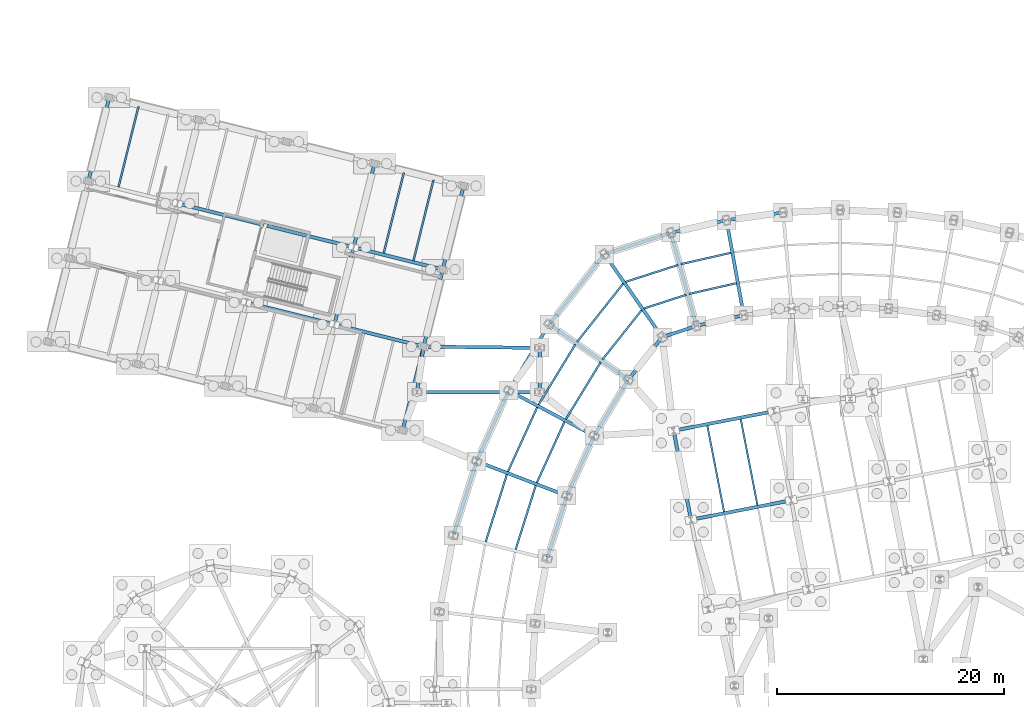
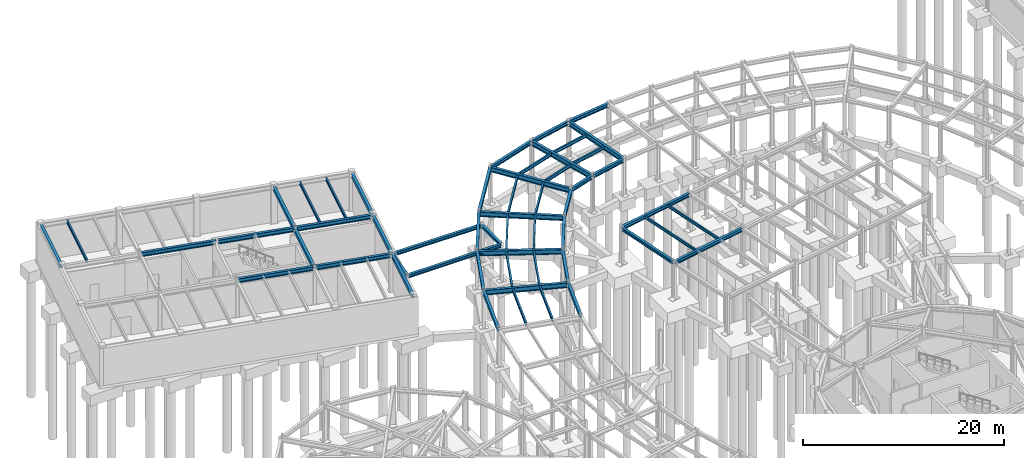
# One storey, part 33 of 50: 54 beams.
"""IFC4 building model written with IfcOpenShell, lengths in metres."""

from ifc_helpers import new_model, si_unit, direction, frame, origin, origin_2d, place, context, subcontext, project, spatial, i_section, extrude, material, material_profile, profile_set, type_object, element, save


model = new_model("IFC4")

# Units and contexts
model_context = context("Model", 3, precision=1e-05, world=origin(), true_north=direction((0.0, 1.0)))
body_context = subcontext(model_context, "Body", "Model", "MODEL_VIEW")
ifc_project = project(units=[si_unit("LENGTHUNIT", "METRE"), si_unit("AREAUNIT", "SQUARE_METRE"), si_unit("VOLUMEUNIT", "CUBIC_METRE"), si_unit("PLANEANGLEUNIT", "RADIAN"), si_unit("MASSUNIT", "GRAM", prefix="KILO")], contexts=[model_context])

# Site, building, storey
site_placement = place(None, origin())
site = spatial("IfcSite", under=ifc_project, at=site_placement, CompositionType="ELEMENT")
building_placement = place(site_placement, origin())
building = spatial("IfcBuilding", under=site, at=building_placement, Name="Varnklinge Art Gallery", CompositionType="ELEMENT")
storey_placement = place(building_placement, frame((0.0, 0.0, -4.800048828125)))
storey = spatial("IfcBuildingStorey", under=building, at=storey_placement, Name="B01", CompositionType="ELEMENT", Elevation=-4.800048828125)

# Beams
ifc_material_1 = material(Name="Steel S355", Category="steel")
ifc_material_profile_1 = material_profile(ifc_material_1, i_section(OverallWidth=0.300048828125, OverallDepth=0.590087890625, WebThickness=0.012939453125, FlangeThickness=0.02490234375, FilletRadius=0.027099609375, at=origin_2d()), Name="HEA 600")
ifc_profile_set_1 = profile_set([ifc_material_profile_1], Name="Steel S355")
beam_type_1 = type_object("IfcBeamType", Name="BM-06", PredefinedType="BEAM", material=ifc_profile_set_1)
for number, where, z_axis, x_axis, name in (
    (1, (65.504638671875, 96.21728515625, 4.255126953125), (0.178151776958, -0.984003020507, 0.0), (0.984003020507, 0.178151776958, 0.0), "B01 BM-06 BM-V2-L00-R19"),
    (2, (60.607421875, 95.102294921875, 4.255126953125), (0.26537851046, -0.96414430776, 0.0), (0.96414430776, 0.26537851046, 0.0), "B01 BM-06 BM-V2-L00-R20"),
):
    element("IfcBeam", number, at=place(storey_placement, frame(where, z_axis=z_axis, x_axis=x_axis)), inside=storey, type_object=beam_type_1, Name=name, PredefinedType="BEAM", context=body_context, shape_type="SweptSolid", body=[
        extrude(i_section(OverallWidth=0.300048828125, OverallDepth=0.590087890625, WebThickness=0.012939453125, FlangeThickness=0.02490234375, FilletRadius=0.027099609375, at=origin_2d()), origin(), (0.0, 0.0, 1.0), 8.229248046875),
    ])
beam_1_placement = place(storey_placement, frame((54.80908203125, 93.244873046875, 4.255126953125), z_axis=(0.570588727281, -0.821235961402, 0.0), x_axis=(0.821235961402, 0.570588727281, 0.0)))
element("IfcBeam", 3, at=beam_1_placement, inside=storey, type_object=beam_type_1, Name="B01 BM-06 BM-V2-L00-R21", PredefinedType="BEAM", context=body_context, shape_type="SweptSolid", body=[
    extrude(i_section(OverallWidth=0.300048828125, OverallDepth=0.590087890625, WebThickness=0.012939453125, FlangeThickness=0.02490234375, FilletRadius=0.027099609375, at=origin_2d()), origin(), (0.0, 0.0, 1.0), 8.6318359375),
])
beam_2_placement = place(storey_placement, frame((49.96484375, 87.0947265625, 4.255126953125), z_axis=(0.820324852304, -0.571897837635, 0.0), x_axis=(0.571897837635, 0.820324852304, 0.0)))
element("IfcBeam", 4, at=beam_2_placement, inside=storey, type_object=beam_type_1, Name="B01 BM-06 BM-V2-L00-R22", PredefinedType="BEAM", context=body_context, shape_type="SweptSolid", body=[
    extrude(i_section(OverallWidth=0.300048828125, OverallDepth=0.590087890625, WebThickness=0.012939453125, FlangeThickness=0.02490234375, FilletRadius=0.027099609375, at=origin_2d()), origin(), (0.0, 0.0, 1.0), 8.2373046875),
])
for number, where, z_axis, x_axis, name in (
    (5, (46.407470703125, 81.265380859375, 4.255126953125), (0.883713647739, -0.468027978651, 0.0), (0.468027978651, 0.883713647739, 0.0), "B01 BM-06 BM-V2-L00-R23"),
    (6, (43.584228515625, 75.047119140625, 4.255126953125), (0.934013153302, -0.357238616976, 0.0), (0.357238616976, 0.934013153302, 0.0), "B01 BM-06 BM-V2-L00-R24"),
):
    element("IfcBeam", number, at=place(storey_placement, frame(where, z_axis=z_axis, x_axis=x_axis)), inside=storey, type_object=beam_type_1, Name=name, PredefinedType="BEAM", context=body_context, shape_type="SweptSolid", body=[
        extrude(i_section(OverallWidth=0.300048828125, OverallDepth=0.590087890625, WebThickness=0.012939453125, FlangeThickness=0.02490234375, FilletRadius=0.027099609375, at=origin_2d()), origin(), (0.0, 0.0, 1.0), 8.237060546875),
    ])
ifc_material_2 = material(Name="Steel S355", Category="steel")
ifc_material_profile_2 = material_profile(ifc_material_2, i_section(OverallWidth=0.300048828125, OverallDepth=0.489990234375, WebThickness=0.011962890625, FlangeThickness=0.02294921875, FilletRadius=0.027099609375, at=origin_2d()), Name="HEA 500")
ifc_profile_set_2 = profile_set([ifc_material_profile_2], Name="Steel S355")
beam_type_2 = type_object("IfcBeamType", Name="BM-07", PredefinedType="BEAM", material=ifc_profile_set_2)
beam_3_placement = place(storey_placement, frame((23.2890625, 89.070068359375, 4.304931640625), z_axis=(0.970294848706, -0.241925415312, 0.0), x_axis=(0.241925415312, 0.970294848706, 0.0)))
element("IfcBeam", 7, at=beam_3_placement, inside=storey, type_object=beam_type_2, Name="B01 BM-07 BM-V5-L00-U1-2", PredefinedType="BEAM", context=body_context, shape_type="SweptSolid", body=[
    extrude(i_section(OverallWidth=0.300048828125, OverallDepth=0.489990234375, WebThickness=0.011962890625, FlangeThickness=0.02294921875, FilletRadius=0.027099609375, at=origin_2d()), origin(), (0.0, 0.0, 1.0), 7.719970703125),
])
beam_4_placement = place(storey_placement, frame((31.051513671875, 87.134765625, 4.304931640625), z_axis=(0.970294736921, -0.241925863651, 0.0), x_axis=(0.241925863651, 0.970294736921, 0.0)))
element("IfcBeam", 8, at=beam_4_placement, inside=storey, type_object=beam_type_2, Name="B01 BM-07 BM-V5-L00-U1-3", PredefinedType="BEAM", context=body_context, shape_type="SweptSolid", body=[
    extrude(i_section(OverallWidth=0.300048828125, OverallDepth=0.489990234375, WebThickness=0.011962890625, FlangeThickness=0.02294921875, FilletRadius=0.027099609375, at=origin_2d()), origin(), (0.0, 0.0, 1.0), 7.81982421875),
])
beam_5_placement = place(storey_placement, frame((17.22021484375, 97.797607421875, 4.304931640625), z_axis=(0.970294848706, -0.241925415312, 0.0), x_axis=(0.241925415312, 0.970294848706, 0.0)))
element("IfcBeam", 9, at=beam_5_placement, inside=storey, type_object=beam_type_2, Name="B01 BM-07 BM-V5-L00-U2-1", PredefinedType="BEAM", context=body_context, shape_type="SweptSolid", body=[
    extrude(i_section(OverallWidth=0.300048828125, OverallDepth=0.489990234375, WebThickness=0.011962890625, FlangeThickness=0.02294921875, FilletRadius=0.027099609375, at=origin_2d()), origin(), (0.0, 0.0, 1.0), 7.719970703125),
])
beam_6_placement = place(storey_placement, frame((24.982421875, 95.862060546875, 4.304931640625), z_axis=(0.970304122122, -0.241888219213, 0.0), x_axis=(0.241888219213, 0.970304122122, 0.0)))
element("IfcBeam", 10, at=beam_6_placement, inside=storey, type_object=beam_type_2, Name="B01 BM-07 BM-V5-L00-U2-2", PredefinedType="BEAM", context=body_context, shape_type="SweptSolid", body=[
    extrude(i_section(OverallWidth=0.300048828125, OverallDepth=0.489990234375, WebThickness=0.011962890625, FlangeThickness=0.02294921875, FilletRadius=0.027099609375, at=origin_2d()), origin(), (0.0, 0.0, 1.0), 7.72021484375),
])
beam_7_placement = place(storey_placement, frame((32.744873046875, 93.9267578125, 4.304931640625), z_axis=(0.970296564102, -0.241918535239, 0.0), x_axis=(0.241918535239, 0.970296564102, 0.0)))
element("IfcBeam", 11, at=beam_7_placement, inside=storey, type_object=beam_type_2, Name="B01 BM-07 BM-V5-L00-U2-3", PredefinedType="BEAM", context=body_context, shape_type="SweptSolid", body=[
    extrude(i_section(OverallWidth=0.300048828125, OverallDepth=0.489990234375, WebThickness=0.011962890625, FlangeThickness=0.02294921875, FilletRadius=0.027099609375, at=origin_2d()), origin(), (0.0, 0.0, 1.0), 7.820068359375),
])
ifc_material_3 = material(Name="Steel S355", Category="steel")
ifc_material_profile_3 = material_profile(ifc_material_3, i_section(OverallWidth=0.300048828125, OverallDepth=0.43994140625, WebThickness=0.011474609375, FlangeThickness=0.02099609375, FilletRadius=0.027099609375, at=origin_2d()), Name="HEA 450")
ifc_profile_set_3 = profile_set([ifc_material_profile_3], Name="Steel S355")
beam_type_3 = type_object("IfcBeamType", Name="BM-08", PredefinedType="BEAM", material=ifc_profile_set_3)
beam_8_placement = place(storey_placement, frame((70.3310546875, 97.010498046875, 4.330078125), z_axis=(-0.990995928782, -0.133892005505, 0.0), x_axis=(0.133892005505, -0.990995928782, 0.0)))
element("IfcBeam", 12, at=beam_8_placement, inside=storey, type_object=beam_type_3, Name="B01 BM-08 BM-V2-L00-O18", PredefinedType="BEAM", context=body_context, shape_type="SweptSolid", body=[
    extrude(i_section(OverallWidth=0.300048828125, OverallDepth=0.43994140625, WebThickness=0.011474609375, FlangeThickness=0.02099609375, FilletRadius=0.027099609375, at=origin_2d()), origin(), (0.0, 0.0, 1.0), 4.75537109375),
])
beam_9_placement = place(storey_placement, frame((65.34326171875, 96.323974609375, 4.330078125), z_axis=(-0.975056640979, -0.221956182347, 0.0), x_axis=(0.221956182347, -0.975056640979, 0.0)))
element("IfcBeam", 13, at=beam_9_placement, inside=storey, type_object=beam_type_3, Name="B01 BM-08 BM-V2-L00-O19", PredefinedType="BEAM", context=body_context, shape_type="SweptSolid", body=[
    extrude(i_section(OverallWidth=0.300048828125, OverallDepth=0.43994140625, WebThickness=0.011474609375, FlangeThickness=0.02099609375, FilletRadius=0.027099609375, at=origin_2d()), origin(), (0.0, 0.0, 1.0), 4.755126953125),
])
beam_10_placement = place(storey_placement, frame((66.859130859375, 87.95068359375, 4.330078125), z_axis=(-0.975053526144, -0.221969865419, 0.0), x_axis=(0.221969865419, -0.975053526144, 0.0)))
element("IfcBeam", 14, at=beam_10_placement, inside=storey, type_object=beam_type_3, Name="B01 BM-08 BM-V2-L00-I19", PredefinedType="BEAM", context=body_context, shape_type="SweptSolid", body=[
    extrude(i_section(OverallWidth=0.300048828125, OverallDepth=0.43994140625, WebThickness=0.011474609375, FlangeThickness=0.02099609375, FilletRadius=0.027099609375, at=origin_2d()), origin(), (0.0, 0.0, 1.0), 3.99365234375),
])
beam_11_placement = place(storey_placement, frame((60.43701171875, 95.194580078125, 4.330078125), z_axis=(-0.952022487869, -0.306028074843, 0.0), x_axis=(0.306028074843, -0.952022487869, 0.0)))
element("IfcBeam", 15, at=beam_11_placement, inside=storey, type_object=beam_type_3, Name="B01 BM-08 BM-V2-L00-O20", PredefinedType="BEAM", context=body_context, shape_type="SweptSolid", body=[
    extrude(i_section(OverallWidth=0.300048828125, OverallDepth=0.43994140625, WebThickness=0.011474609375, FlangeThickness=0.02099609375, FilletRadius=0.027099609375, at=origin_2d()), origin(), (0.0, 0.0, 1.0), 5.855712890625),
])
beam_12_placement = place(storey_placement, frame((62.695556640625, 86.989501953125, 4.330078125), z_axis=(-0.94984963517, -0.312707004347, 0.0), x_axis=(0.312707004347, -0.94984963517, 0.0)))
element("IfcBeam", 16, at=beam_12_placement, inside=storey, type_object=beam_type_3, Name="B01 BM-08 BM-V2-L00-I20", PredefinedType="BEAM", context=body_context, shape_type="SweptSolid", body=[
    extrude(i_section(OverallWidth=0.300048828125, OverallDepth=0.43994140625, WebThickness=0.011474609375, FlangeThickness=0.02099609375, FilletRadius=0.027099609375, at=origin_2d()), origin(), (0.0, 0.0, 1.0), 2.893310546875),
])
beam_13_placement = place(storey_placement, frame((54.642333984375, 93.25, 4.330078125), z_axis=(-0.619327516232, -0.785132745233, 0.0), x_axis=(0.785132745233, -0.619327516232, 0.0)))
element("IfcBeam", 17, at=beam_13_placement, inside=storey, type_object=beam_type_3, Name="B01 BM-08 BM-V2-L00-O21", PredefinedType="BEAM", context=body_context, shape_type="SweptSolid", body=[
    extrude(i_section(OverallWidth=0.300048828125, OverallDepth=0.43994140625, WebThickness=0.011474609375, FlangeThickness=0.02099609375, FilletRadius=0.027099609375, at=origin_2d()), origin(), (0.0, 0.0, 1.0), 7.597900390625),
])
beam_14_placement = place(storey_placement, frame((59.72705078125, 85.931396484375, 4.330078125), z_axis=(-0.623138348458, -0.782111628018, 0.0), x_axis=(0.782111628018, -0.623138348458, 0.0)))
element("IfcBeam", 18, at=beam_14_placement, inside=storey, type_object=beam_type_3, Name="B01 BM-08 BM-V2-L00-I21", PredefinedType="BEAM", context=body_context, shape_type="SweptSolid", body=[
    extrude(i_section(OverallWidth=0.300048828125, OverallDepth=0.43994140625, WebThickness=0.011474609375, FlangeThickness=0.02099609375, FilletRadius=0.027099609375, at=origin_2d()), origin(), (0.0, 0.0, 1.0), 4.498046875),
])
beam_15_placement = place(storey_placement, frame((49.777099609375, 87.055419921875, 4.330078125), z_axis=(-0.520911485476, -0.853610698327, 0.0), x_axis=(0.853610698327, -0.520911485476, 0.0)))
element("IfcBeam", 19, at=beam_15_placement, inside=storey, type_object=beam_type_3, Name="B01 BM-08 BM-V2-L00-O22", PredefinedType="BEAM", context=body_context, shape_type="SweptSolid", body=[
    extrude(i_section(OverallWidth=0.300048828125, OverallDepth=0.43994140625, WebThickness=0.011474609375, FlangeThickness=0.02099609375, FilletRadius=0.027099609375, at=origin_2d()), origin(), (0.0, 0.0, 1.0), 6.566162109375),
])
beam_16_placement = place(storey_placement, frame((56.763916015625, 82.184326171875, 4.330078125), z_axis=(-0.520928443414, -0.853600349603, 0.0), x_axis=(0.853600349603, -0.520928443414, 0.0)))
element("IfcBeam", 20, at=beam_16_placement, inside=storey, type_object=beam_type_3, Name="B01 BM-08 BM-V2-L00-I22", PredefinedType="BEAM", context=body_context, shape_type="SweptSolid", body=[
    extrude(i_section(OverallWidth=0.300048828125, OverallDepth=0.43994140625, WebThickness=0.011474609375, FlangeThickness=0.02099609375, FilletRadius=0.027099609375, at=origin_2d()), origin(), (0.0, 0.0, 1.0), 5.52978515625),
])
beam_17_placement = place(storey_placement, frame((46.225830078125, 81.20361328125, 4.330078125), z_axis=(-0.413377101484, -0.910559922229, 0.0), x_axis=(0.910559922229, -0.413377101484, 0.0)))
element("IfcBeam", 21, at=beam_17_placement, inside=storey, type_object=beam_type_3, Name="B01 BM-08 BM-V2-L00-O23", PredefinedType="BEAM", context=body_context, shape_type="SweptSolid", body=[
    extrude(i_section(OverallWidth=0.300048828125, OverallDepth=0.43994140625, WebThickness=0.011474609375, FlangeThickness=0.02099609375, FilletRadius=0.027099609375, at=origin_2d()), origin(), (0.0, 0.0, 1.0), 6.56640625),
])
beam_18_placement = place(storey_placement, frame((53.75244140625, 77.217041015625, 4.330078125), z_axis=(-0.413397065821, -0.910550858531, 0.0), x_axis=(0.910550858531, -0.413397065821, 0.0)))
element("IfcBeam", 22, at=beam_18_placement, inside=storey, type_object=beam_type_3, Name="B01 BM-08 BM-V2-L00-I23", PredefinedType="BEAM", context=body_context, shape_type="SweptSolid", body=[
    extrude(i_section(OverallWidth=0.300048828125, OverallDepth=0.43994140625, WebThickness=0.011474609375, FlangeThickness=0.02099609375, FilletRadius=0.027099609375, at=origin_2d()), origin(), (0.0, 0.0, 1.0), 5.529541015625),
])
beam_19_placement = place(storey_placement, frame((43.41162109375, 74.963623046875, 4.330078125), z_axis=(-0.299727009364, -0.95402501008, 0.0), x_axis=(0.95402501008, -0.299727009364, 0.0)))
element("IfcBeam", 23, at=beam_19_placement, inside=storey, type_object=beam_type_3, Name="B01 BM-08 BM-V2-L00-O24", PredefinedType="BEAM", context=body_context, shape_type="SweptSolid", body=[
    extrude(i_section(OverallWidth=0.300048828125, OverallDepth=0.43994140625, WebThickness=0.011474609375, FlangeThickness=0.02099609375, FilletRadius=0.027099609375, at=origin_2d()), origin(), (0.0, 0.0, 1.0), 6.56591796875),
])
beam_20_placement = place(storey_placement, frame((51.36669921875, 71.9208984375, 4.330078125), z_axis=(-0.299742786947, -0.954020053077, 0.0), x_axis=(0.954020053077, -0.299742786947, 0.0)))
element("IfcBeam", 24, at=beam_20_placement, inside=storey, type_object=beam_type_3, Name="B01 BM-08 BM-V2-L00-I24", PredefinedType="BEAM", context=body_context, shape_type="SweptSolid", body=[
    extrude(i_section(OverallWidth=0.300048828125, OverallDepth=0.43994140625, WebThickness=0.011474609375, FlangeThickness=0.02099609375, FilletRadius=0.027099609375, at=origin_2d()), origin(), (0.0, 0.0, 1.0), 5.529541015625),
])
beam_21_placement = place(storey_placement, frame((62.483642578125, 69.969970703125, 4.330078125), z_axis=(0.981628064538, 0.190804462503, 0.0), x_axis=(-0.190804462503, 0.981628064538, 0.0)))
element("IfcBeam", 25, at=beam_21_placement, inside=storey, type_object=beam_type_3, Name="B01 BM-08 BM-V4B-L00-U1-0", PredefinedType="BEAM", context=body_context, shape_type="SweptSolid", body=[
    extrude(i_section(OverallWidth=0.300048828125, OverallDepth=0.43994140625, WebThickness=0.011474609375, FlangeThickness=0.02099609375, FilletRadius=0.027099609375, at=origin_2d()), origin(), (0.0, 0.0, 1.0), 8.719970703125),
])
beam_22_placement = place(storey_placement, frame((60.95703125, 77.822998046875, 4.330078125), z_axis=(0.981629083791, 0.190799218699, 0.0), x_axis=(-0.190799218699, 0.981629083791, 0.0)))
element("IfcBeam", 26, at=beam_22_placement, inside=storey, type_object=beam_type_3, Name="B01 BM-08 BM-V4B-L00-U2-0", PredefinedType="BEAM", context=body_context, shape_type="SweptSolid", body=[
    extrude(i_section(OverallWidth=0.300048828125, OverallDepth=0.43994140625, WebThickness=0.011474609375, FlangeThickness=0.02099609375, FilletRadius=0.027099609375, at=origin_2d()), origin(), (0.0, 0.0, 1.0), 8.72021484375),
])
beam_23_placement = place(storey_placement, frame((9.2587890625, 99.9267578125, 4.330078125), z_axis=(0.241939157724, 0.970291422182, 0.0), x_axis=(-0.970291422182, 0.241939157724, 0.0)))
element("IfcBeam", 27, at=beam_23_placement, inside=storey, type_object=beam_type_3, Name="B01 BM-08 BM-V5-L00-V0-2", PredefinedType="BEAM", context=body_context, shape_type="SweptSolid", body=[
    extrude(i_section(OverallWidth=0.300048828125, OverallDepth=0.43994140625, WebThickness=0.011474609375, FlangeThickness=0.02099609375, FilletRadius=0.027099609375, at=origin_2d()), origin(), (0.0, 0.0, 1.0), 7.320068359375),
])
beam_24_placement = place(storey_placement, frame((30.949462890625, 87.304443359375, 4.330078125), z_axis=(0.241920106756, 0.970296172283, 0.0), x_axis=(-0.970296172283, 0.241920106756, 0.0)))
element("IfcBeam", 28, at=beam_24_placement, inside=storey, type_object=beam_type_3, Name="B01 BM-08 BM-V5-L00-V3-1", PredefinedType="BEAM", context=body_context, shape_type="SweptSolid", body=[
    extrude(i_section(OverallWidth=0.300048828125, OverallDepth=0.43994140625, WebThickness=0.011474609375, FlangeThickness=0.02099609375, FilletRadius=0.027099609375, at=origin_2d()), origin(), (0.0, 0.0, 1.0), 6.72021484375),
])
for number, where, z_axis, x_axis, name in (
    (29, (32.64306640625, 94.096435546875, 4.330078125), (0.241899928684, 0.970301202979, 0.0), (-0.970301202979, 0.241899928684, 0.0), "B01 BM-08 BM-V5-L00-V3-2"),
    (30, (36.97021484375, 77.970703125, 4.330078125), (0.241939157724, 0.970291422182, 0.0), (-0.970291422182, 0.241939157724, 0.0), "B01 BM-08 BM-V5-L00-V4-0"),
):
    element("IfcBeam", number, at=place(storey_placement, frame(where, z_axis=z_axis, x_axis=x_axis)), inside=storey, type_object=beam_type_3, Name=name, PredefinedType="BEAM", context=body_context, shape_type="SweptSolid", body=[
        extrude(i_section(OverallWidth=0.300048828125, OverallDepth=0.43994140625, WebThickness=0.011474609375, FlangeThickness=0.02099609375, FilletRadius=0.027099609375, at=origin_2d()), origin(), (0.0, 0.0, 1.0), 7.320068359375),
    ])
beam_25_placement = place(storey_placement, frame((38.808837890625, 85.3447265625, 4.330078125), z_axis=(0.241920106756, 0.970296172283, 0.0), x_axis=(-0.970296172283, 0.241920106756, 0.0)))
element("IfcBeam", 31, at=beam_25_placement, inside=storey, type_object=beam_type_3, Name="B01 BM-08 BM-V5-L00-V4-1", PredefinedType="BEAM", context=body_context, shape_type="SweptSolid", body=[
    extrude(i_section(OverallWidth=0.300048828125, OverallDepth=0.43994140625, WebThickness=0.011474609375, FlangeThickness=0.02099609375, FilletRadius=0.027099609375, at=origin_2d()), origin(), (0.0, 0.0, 1.0), 6.72021484375),
])
beam_26_placement = place(storey_placement, frame((40.50244140625, 92.136962890625, 4.330078125), z_axis=(0.241907757102, 0.97029925129, 0.0), x_axis=(-0.97029925129, 0.241907757102, 0.0)))
element("IfcBeam", 32, at=beam_26_placement, inside=storey, type_object=beam_type_3, Name="B01 BM-08 BM-V5-L00-V4-2", PredefinedType="BEAM", context=body_context, shape_type="SweptSolid", body=[
    extrude(i_section(OverallWidth=0.300048828125, OverallDepth=0.43994140625, WebThickness=0.011474609375, FlangeThickness=0.02099609375, FilletRadius=0.027099609375, at=origin_2d()), origin(), (0.0, 0.0, 1.0), 7.320068359375),
])
ifc_material_4 = material(Name="Steel S355", Category="steel")
ifc_material_profile_4 = material_profile(ifc_material_4, i_section(OverallWidth=0.300048828125, OverallDepth=0.389892578125, WebThickness=0.010986328125, FlangeThickness=0.01904296875, FilletRadius=0.027099609375, at=origin_2d()), Name="HEA 400")
ifc_profile_set_4 = profile_set([ifc_material_profile_4], Name="Steel S355")
beam_type_4 = type_object("IfcBeamType", Name="BM-09", PredefinedType="BEAM", material=ifc_profile_set_4)
beam_27_placement = place(storey_placement, frame((62.319580078125, 70.08056640625, 4.35498046875), z_axis=(-0.190822257393, 0.98162460548, 0.0), x_axis=(-0.98162460548, -0.190822257393, 0.0)))
element("IfcBeam", 33, at=beam_27_placement, inside=storey, type_object=beam_type_4, Name="B01 BM-09 BM-V4B-L00-V0-1", PredefinedType="BEAM", context=body_context, shape_type="SweptSolid", body=[
    extrude(i_section(OverallWidth=0.300048828125, OverallDepth=0.389892578125, WebThickness=0.010986328125, FlangeThickness=0.01904296875, FilletRadius=0.027099609375, at=origin_2d()), origin(), (0.0, 0.0, 1.0), 7.719970703125),
])
beam_28_placement = place(storey_placement, frame((38.260009765625, 81.199951171875, 4.35498046875), z_axis=(1.0, 0.0, 0.0), x_axis=(0.0, 1.0, 0.0)))
element("IfcBeam", 34, at=beam_28_placement, inside=storey, type_object=beam_type_4, Name="B01 BM-09 BM-LNK-V5-L00-1", PredefinedType="BEAM", context=body_context, shape_type="SweptSolid", body=[
    extrude(i_section(OverallWidth=0.300048828125, OverallDepth=0.389892578125, WebThickness=0.010986328125, FlangeThickness=0.01904296875, FilletRadius=0.027099609375, at=origin_2d()), origin(), (0.0, 0.0, 1.0), 10.679931640625),
])
beam_29_placement = place(storey_placement, frame((49.0, 81.260009765625, 4.35498046875), z_axis=(0.0, 1.0, 0.0), x_axis=(-1.0, 0.0, 0.0)))
element("IfcBeam", 35, at=beam_29_placement, inside=storey, type_object=beam_type_4, Name="B01 BM-09 BM-LNK-V5-L00-2", PredefinedType="BEAM", context=body_context, shape_type="SweptSolid", body=[
    extrude(i_section(OverallWidth=0.300048828125, OverallDepth=0.389892578125, WebThickness=0.010986328125, FlangeThickness=0.01904296875, FilletRadius=0.027099609375, at=origin_2d()), origin(), (0.0, 0.0, 1.0), 3.780029296875),
])
beam_30_placement = place(storey_placement, frame((48.93994140625, 85.1005859375, 4.35498046875), z_axis=(-0.999942985339, 0.010678299094, 0.0), x_axis=(-0.010678299094, -0.999942985339, 0.0)))
element("IfcBeam", 36, at=beam_30_placement, inside=storey, type_object=beam_type_4, Name="B01 BM-09 BM-LNK-V5-L00-3", PredefinedType="BEAM", context=body_context, shape_type="SweptSolid", body=[
    extrude(i_section(OverallWidth=0.300048828125, OverallDepth=0.389892578125, WebThickness=0.010986328125, FlangeThickness=0.01904296875, FilletRadius=0.027099609375, at=origin_2d()), origin(), (0.0, 0.0, 1.0), 10.10546875),
])
beam_31_placement = place(storey_placement, frame((38.7666015625, 85.149658203125, 4.35498046875), z_axis=(-0.142012740137, -0.989864829984, 0.0), x_axis=(0.989864829984, -0.142012740137, 0.0)))
element("IfcBeam", 37, at=beam_31_placement, inside=storey, type_object=beam_type_4, Name="B01 BM-09 BM-LNK-V5-L00-4", PredefinedType="BEAM", context=body_context, shape_type="SweptSolid", body=[
    extrude(i_section(OverallWidth=0.300048828125, OverallDepth=0.389892578125, WebThickness=0.010986328125, FlangeThickness=0.01904296875, FilletRadius=0.027099609375, at=origin_2d()), origin(), (0.0, 0.0, 1.0), 3.929931640625),
])
ifc_material_5 = material(Name="Steel S355", Category="steel")
ifc_material_profile_5 = material_profile(ifc_material_5, i_section(OverallWidth=0.179931640625, OverallDepth=0.39990234375, WebThickness=0.008544921875, FlangeThickness=0.013427734375, FilletRadius=0.02099609375, at=origin_2d()), Name="IPE 400")
ifc_profile_set_5 = profile_set([ifc_material_profile_5], Name="Steel S355")
beam_type_5 = type_object("IfcBeamType", Name="JST-05", PredefinedType="JOIST", material=ifc_profile_set_5)
beam_32_placement = place(storey_placement, frame((65.858642578125, 93.47705078125, 4.35009765625), z_axis=(-0.975052249235, -0.22197547446, 0.0), x_axis=(0.22197547446, -0.975052249235, 0.0)))
element("IfcBeam", 38, at=beam_32_placement, inside=storey, type_object=beam_type_5, Name="B01 JST-05 JST-V2-L00-19-1", PredefinedType="JOIST", context=body_context, shape_type="SweptSolid", body=[
    extrude(i_section(OverallWidth=0.179931640625, OverallDepth=0.39990234375, WebThickness=0.008544921875, FlangeThickness=0.013427734375, FilletRadius=0.02099609375, at=origin_2d()), origin(), (0.0, 0.0, 1.0), 4.49609375),
])
beam_33_placement = place(storey_placement, frame((66.34375, 90.797607421875, 4.35009765625), z_axis=(-0.975058358995, -0.221948634943, 0.0), x_axis=(0.221948634943, -0.975058358995, 0.0)))
element("IfcBeam", 39, at=beam_33_placement, inside=storey, type_object=beam_type_5, Name="B01 JST-05 JST-V2-L00-19-2", PredefinedType="JOIST", context=body_context, shape_type="SweptSolid", body=[
    extrude(i_section(OverallWidth=0.179931640625, OverallDepth=0.39990234375, WebThickness=0.008544921875, FlangeThickness=0.013427734375, FilletRadius=0.02099609375, at=origin_2d()), origin(), (0.0, 0.0, 1.0), 4.25244140625),
])
beam_34_placement = place(storey_placement, frame((61.204833984375, 92.40478515625, 4.35009765625), z_axis=(-0.951573262441, -0.307422065259, 0.0), x_axis=(0.307422065259, -0.951573262441, 0.0)))
element("IfcBeam", 40, at=beam_34_placement, inside=storey, type_object=beam_type_5, Name="B01 JST-05 JST-V2-L00-20-1", PredefinedType="JOIST", context=body_context, shape_type="SweptSolid", body=[
    extrude(i_section(OverallWidth=0.179931640625, OverallDepth=0.39990234375, WebThickness=0.008544921875, FlangeThickness=0.013427734375, FilletRadius=0.02099609375, at=origin_2d()), origin(), (0.0, 0.0, 1.0), 4.848388671875),
])
beam_35_placement = place(storey_placement, frame((61.927490234375, 89.779296875, 4.35009765625), z_axis=(-0.950949393045, -0.309346491603, 0.0), x_axis=(0.309346491603, -0.950949393045, 0.0)))
element("IfcBeam", 41, at=beam_35_placement, inside=storey, type_object=beam_type_5, Name="B01 JST-05 JST-V2-L00-20-2", PredefinedType="JOIST", context=body_context, shape_type="SweptSolid", body=[
    extrude(i_section(OverallWidth=0.179931640625, OverallDepth=0.39990234375, WebThickness=0.008544921875, FlangeThickness=0.013427734375, FilletRadius=0.02099609375, at=origin_2d()), origin(), (0.0, 0.0, 1.0), 3.900390625),
])
beam_36_placement = place(storey_placement, frame((56.37109375, 90.76171875, 4.35009765625), z_axis=(-0.620207823033, -0.784437541331, 0.0), x_axis=(0.784437541331, -0.620207823033, 0.0)))
element("IfcBeam", 42, at=beam_36_placement, inside=storey, type_object=beam_type_5, Name="B01 JST-05 JST-V2-L00-21-1", PredefinedType="JOIST", context=body_context, shape_type="SweptSolid", body=[
    extrude(i_section(OverallWidth=0.179931640625, OverallDepth=0.39990234375, WebThickness=0.008544921875, FlangeThickness=0.013427734375, FilletRadius=0.02099609375, at=origin_2d()), origin(), (0.0, 0.0, 1.0), 6.5439453125),
])
beam_37_placement = place(storey_placement, frame((57.998291015625, 88.419677734375, 4.35009765625), z_axis=(-0.621380748712, -0.783508752427, 0.0), x_axis=(0.783508752427, -0.621380748712, 0.0)))
element("IfcBeam", 43, at=beam_37_placement, inside=storey, type_object=beam_type_5, Name="B01 JST-05 JST-V2-L00-21-2", PredefinedType="JOIST", context=body_context, shape_type="SweptSolid", body=[
    extrude(i_section(OverallWidth=0.179931640625, OverallDepth=0.39990234375, WebThickness=0.008544921875, FlangeThickness=0.013427734375, FilletRadius=0.02099609375, at=origin_2d()), origin(), (0.0, 0.0, 1.0), 5.552001953125),
])
beam_38_placement = place(storey_placement, frame((52.152587890625, 85.399169921875, 4.35009765625), z_axis=(-0.520923848619, -0.853603153661, 0.0), x_axis=(0.853603153661, -0.520923848619, 0.0)))
element("IfcBeam", 44, at=beam_38_placement, inside=storey, type_object=beam_type_5, Name="B01 JST-05 JST-V2-L00-22-1", PredefinedType="JOIST", context=body_context, shape_type="SweptSolid", body=[
    extrude(i_section(OverallWidth=0.179931640625, OverallDepth=0.39990234375, WebThickness=0.008544921875, FlangeThickness=0.013427734375, FilletRadius=0.02099609375, at=origin_2d()), origin(), (0.0, 0.0, 1.0), 6.213623046875),
])
beam_39_placement = place(storey_placement, frame((54.388427734375, 83.84033203125, 4.35009765625), z_axis=(-0.520951279717, -0.853586412826, 0.0), x_axis=(0.853586412826, -0.520951279717, 0.0)))
element("IfcBeam", 45, at=beam_39_placement, inside=storey, type_object=beam_type_5, Name="B01 JST-05 JST-V2-L00-22-2", PredefinedType="JOIST", context=body_context, shape_type="SweptSolid", body=[
    extrude(i_section(OverallWidth=0.179931640625, OverallDepth=0.39990234375, WebThickness=0.008544921875, FlangeThickness=0.013427734375, FilletRadius=0.02099609375, at=origin_2d()), origin(), (0.0, 0.0, 1.0), 5.8818359375),
])
beam_40_placement = place(storey_placement, frame((48.784912109375, 79.84814453125, 4.35009765625), z_axis=(-0.413409198448, -0.910545350127, 0.0), x_axis=(0.910545350127, -0.413409198448, 0.0)))
element("IfcBeam", 46, at=beam_40_placement, inside=storey, type_object=beam_type_5, Name="B01 JST-05 JST-V2-L00-23-1", PredefinedType="JOIST", context=body_context, shape_type="SweptSolid", body=[
    extrude(i_section(OverallWidth=0.179931640625, OverallDepth=0.39990234375, WebThickness=0.008544921875, FlangeThickness=0.013427734375, FilletRadius=0.02099609375, at=origin_2d()), origin(), (0.0, 0.0, 1.0), 6.2138671875),
])
beam_41_placement = place(storey_placement, frame((51.193603515625, 78.572509765625, 4.35009765625), z_axis=(-0.413430786601, -0.910535548285, 0.0), x_axis=(0.910535548285, -0.413430786601, 0.0)))
element("IfcBeam", 47, at=beam_41_placement, inside=storey, type_object=beam_type_5, Name="B01 JST-05 JST-V2-L00-23-2", PredefinedType="JOIST", context=body_context, shape_type="SweptSolid", body=[
    extrude(i_section(OverallWidth=0.179931640625, OverallDepth=0.39990234375, WebThickness=0.008544921875, FlangeThickness=0.013427734375, FilletRadius=0.02099609375, at=origin_2d()), origin(), (0.0, 0.0, 1.0), 5.88232421875),
])
beam_42_placement = place(storey_placement, frame((46.1162109375, 73.92919921875, 4.35009765625), z_axis=(-0.29971318729, -0.954029352465, 0.0), x_axis=(0.954029352465, -0.29971318729, 0.0)))
element("IfcBeam", 48, at=beam_42_placement, inside=storey, type_object=beam_type_5, Name="B01 JST-05 JST-V2-L00-24-1", PredefinedType="JOIST", context=body_context, shape_type="SweptSolid", body=[
    extrude(i_section(OverallWidth=0.179931640625, OverallDepth=0.39990234375, WebThickness=0.008544921875, FlangeThickness=0.013427734375, FilletRadius=0.02099609375, at=origin_2d()), origin(), (0.0, 0.0, 1.0), 6.213623046875),
])
beam_43_placement = place(storey_placement, frame((48.662109375, 72.95556640625, 4.35009765625), z_axis=(-0.299756442746, -0.954015762465, 0.0), x_axis=(0.954015762465, -0.299756442746, 0.0)))
element("IfcBeam", 49, at=beam_43_placement, inside=storey, type_object=beam_type_5, Name="B01 JST-05 JST-V2-L00-24-2", PredefinedType="JOIST", context=body_context, shape_type="SweptSolid", body=[
    extrude(i_section(OverallWidth=0.179931640625, OverallDepth=0.39990234375, WebThickness=0.008544921875, FlangeThickness=0.013427734375, FilletRadius=0.02099609375, at=origin_2d()), origin(), (0.0, 0.0, 1.0), 5.882080078125),
])
ifc_material_6 = material(Name="Steel S355", Category="steel")
ifc_material_profile_6 = material_profile(ifc_material_6, i_section(OverallWidth=0.169921875, OverallDepth=0.360107421875, WebThickness=0.008056640625, FlangeThickness=0.0126953125, FilletRadius=0.01806640625, at=origin_2d()), Name="IPE 360")
ifc_profile_set_6 = profile_set([ifc_material_profile_6], Name="Steel S355")
beam_type_6 = type_object("IfcBeamType", Name="JST-06", PredefinedType="JOIST", material=ifc_profile_set_6)
for number, where, z_axis, x_axis, name in (
    (50, (11.878662109375, 99.273681640625, 4.3701171875), (0.241907757102, 0.97029925129, 0.0), (-0.97029925129, 0.241907757102, 0.0), "B01 JST-06 JST-V5-L00-0-2-1"),
    (51, (35.2626953125, 93.443359375, 4.3701171875), (0.241939157724, 0.970291422182, 0.0), (-0.970291422182, 0.241939157724, 0.0), "B01 JST-06 JST-V5-L00-3-2-1"),
    (52, (37.882568359375, 92.7900390625, 4.3701171875), (0.241907757102, 0.97029925129, 0.0), (-0.97029925129, 0.241907757102, 0.0), "B01 JST-06 JST-V5-L00-3-2-2"),
):
    element("IfcBeam", number, at=place(storey_placement, frame(where, z_axis=z_axis, x_axis=x_axis)), inside=storey, type_object=beam_type_6, Name=name, PredefinedType="JOIST", context=body_context, shape_type="SweptSolid", body=[
        extrude(i_section(OverallWidth=0.169921875, OverallDepth=0.360107421875, WebThickness=0.008056640625, FlangeThickness=0.0126953125, FilletRadius=0.01806640625, at=origin_2d()), origin(), (0.0, 0.0, 1.0), 7.320068359375),
    ])
ifc_material_7 = material(Name="Steel S355", Category="steel")
ifc_material_profile_7 = material_profile(ifc_material_7, i_section(OverallWidth=0.159912109375, OverallDepth=0.330078125, WebThickness=0.007568359375, FlangeThickness=0.011474609375, FilletRadius=0.01806640625, at=origin_2d()), Name="IPE 330")
ifc_profile_set_7 = profile_set([ifc_material_profile_7], Name="Steel S355")
beam_type_7 = type_object("IfcBeamType", Name="JST-07", PredefinedType="JOIST", material=ifc_profile_set_7)
beam_44_placement = place(storey_placement, frame((65.264404296875, 70.653076171875, 4.385009765625), z_axis=(-0.190822257393, 0.98162460548, 0.0), x_axis=(-0.98162460548, -0.190822257393, 0.0)))
element("IfcBeam", 53, at=beam_44_placement, inside=storey, type_object=beam_type_7, Name="B01 JST-07 JST-V4B-L00-0-1-1", PredefinedType="JOIST", context=body_context, shape_type="SweptSolid", body=[
    extrude(i_section(OverallWidth=0.159912109375, OverallDepth=0.330078125, WebThickness=0.007568359375, FlangeThickness=0.011474609375, FilletRadius=0.01806640625, at=origin_2d()), origin(), (0.0, 0.0, 1.0), 7.719970703125),
])
beam_45_placement = place(storey_placement, frame((68.209228515625, 71.225341796875, 4.385009765625), z_axis=(-0.190816333803, 0.981625756974, 0.0), x_axis=(-0.981625756974, -0.190816333803, 0.0)))
element("IfcBeam", 54, at=beam_45_placement, inside=storey, type_object=beam_type_7, Name="B01 JST-07 JST-V4B-L00-0-1-2", PredefinedType="JOIST", context=body_context, shape_type="SweptSolid", body=[
    extrude(i_section(OverallWidth=0.159912109375, OverallDepth=0.330078125, WebThickness=0.007568359375, FlangeThickness=0.011474609375, FilletRadius=0.01806640625, at=origin_2d()), origin(), (0.0, 0.0, 1.0), 7.72021484375),
])

save(model, "model.ifc")
